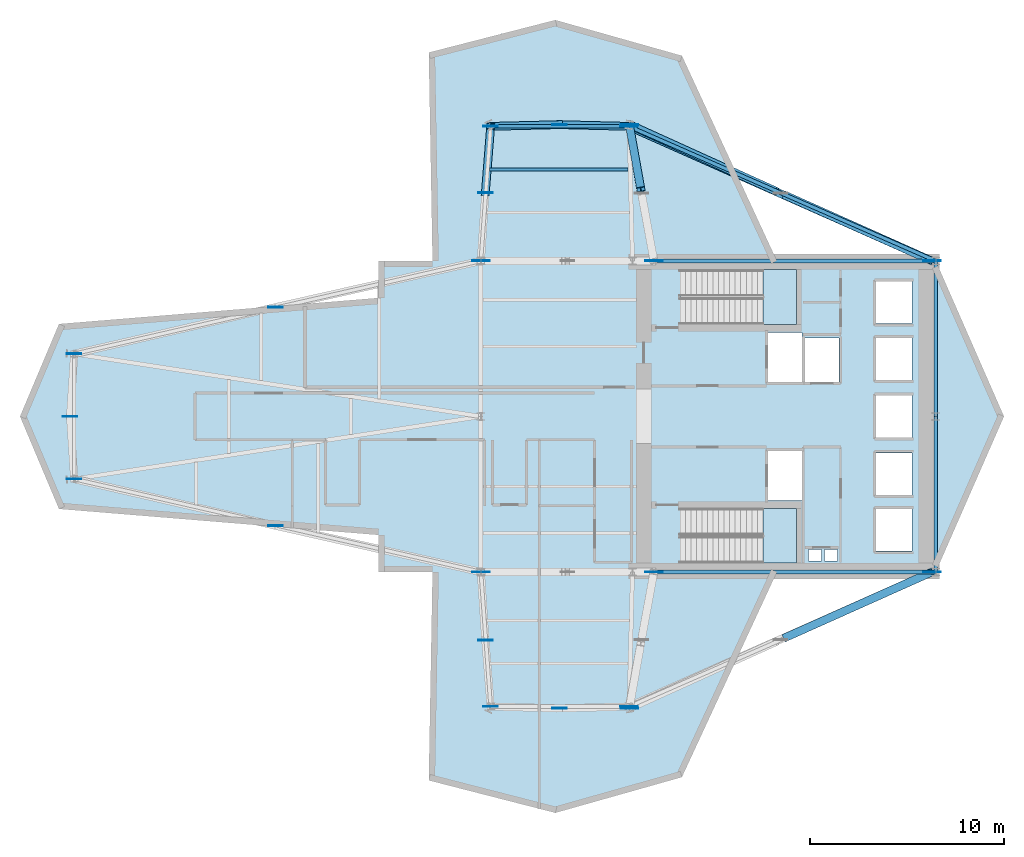
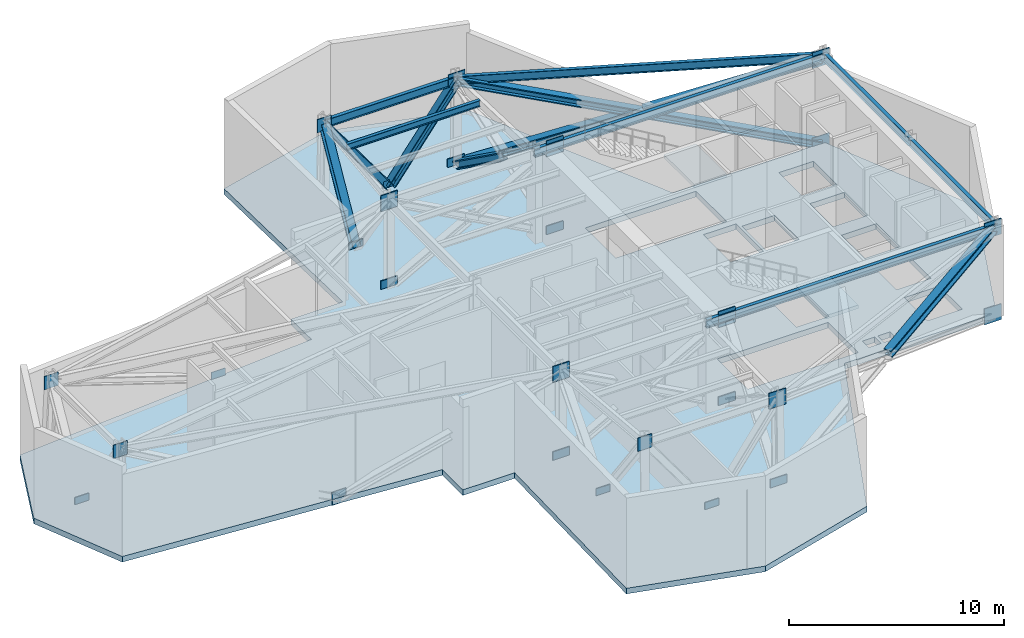
# One storey, part 2 of 6: 27 plates, 8 members, 7 beams, 3 slabs, 2 elements without a shape of their own.
"""IFC4 building model written with IfcOpenShell, lengths in metres."""

from ifc_helpers import new_model, si_unit, direction, frame, origin, origin_2d, place, context, subcontext, project, spatial, polyline, rectangle, i_section, outline, extrude, material, layer, layer_set, material_profile, profile_set, type_object, element, aggregate, save


model = new_model("IFC4")

# Units and contexts
model_context = context("Model", 3, precision=1e-05, world=origin(), true_north=direction((0.0, 1.0)))
body_context = subcontext(model_context, "Body", "Model", "MODEL_VIEW")
ifc_project = project(units=[si_unit("LENGTHUNIT", "METRE"), si_unit("AREAUNIT", "SQUARE_METRE"), si_unit("VOLUMEUNIT", "CUBIC_METRE"), si_unit("PLANEANGLEUNIT", "RADIAN"), si_unit("MASSUNIT", "GRAM", prefix="KILO")], contexts=[model_context])

# Site, building, storey
site_placement = place(None, origin())
site = spatial("IfcSite", under=ifc_project, at=site_placement, CompositionType="ELEMENT")
building_placement = place(site_placement, origin())
building = spatial("IfcBuilding", under=site, at=building_placement, Name="Veymaron Broadcast Tower", CompositionType="ELEMENT")
storey_placement = place(building_placement, frame((0.0, 0.0, 106.64990234375)))
storey = spatial("IfcBuildingStorey", under=building, at=storey_placement, Name="L24", CompositionType="ELEMENT", Elevation=106.64990234375)

# Beams
ifc_material_1 = material(Name="Structural steel ASTM A992 Gr 50", Category="steel")
ifc_material_profile_1 = material_profile(ifc_material_1, i_section(OverallWidth=0.1708984375, OverallDepth=0.35498046875, WebThickness=0.007080078125, FlangeThickness=0.01171875, at=origin_2d()), Name="W360X51")
ifc_profile_set_1 = profile_set([ifc_material_profile_1], Name="Structural steel ASTM A992 Gr 50")
beam_type_1 = type_object("IfcBeamType", Name="BM-JS2", PredefinedType="JOIST", material=ifc_profile_set_1)
beam_1_placement = place(storey_placement, frame((31.642578125, 36.70556640625, 4.942626953125), z_axis=(1.0, 0.0, 0.0), x_axis=(0.0, 1.0, 0.0)))
element("IfcBeam", 1, at=beam_1_placement, inside=storey, type_object=beam_type_1, Name="L24 Arm-B secondary joist 2", PredefinedType="JOIST", context=body_context, shape_type="SweptSolid", body=[
    extrude(i_section(OverallWidth=0.1708984375, OverallDepth=0.35498046875, WebThickness=0.007080078125, FlangeThickness=0.01171875, at=origin_2d()), origin(), (0.0, 0.0, 1.0), 7.135009765625),
])
ifc_material_profile_2 = material_profile(ifc_material_1, i_section(OverallWidth=0.19091796875, OverallDepth=0.4599609375, WebThickness=0.010009765625, FlangeThickness=0.01611328125, at=origin_2d()), Name="W460X82")
ifc_profile_set_2 = profile_set([ifc_material_profile_2], Name="Structural steel ASTM A992 Gr 50")
beam_type_2 = type_object("IfcBeamType", Name="BM-SP1", PredefinedType="SPANDREL", material=ifc_profile_set_2)
for number, where, z_axis, x_axis, name in (
    (2, (39.0, 16.0, 4.89013671875), (1.0, 0.0, 0.0), (0.0, 1.0, 0.0), "L24 primary structural floor girder"),
    (3, (39.0, 32.0, 4.89013671875), (1.0, 0.0, 0.0), (0.0, 1.0, 0.0), "L24 primary structural floor girder"),
):
    element("IfcBeam", number, at=place(storey_placement, frame(where, z_axis=z_axis, x_axis=x_axis)), inside=storey, type_object=beam_type_2, Name=name, PredefinedType="SPANDREL", context=body_context, shape_type="SweptSolid", body=[
        extrude(i_section(OverallWidth=0.19091796875, OverallDepth=0.4599609375, WebThickness=0.010009765625, FlangeThickness=0.01611328125, at=origin_2d()), origin(), (0.0, 0.0, 1.0), 15.60009765625),
    ])
for number, where, z_axis, x_axis, name in (
    (4, (54.60009765625, 16.0, 4.89013671875), (0.0, 1.0, 0.0), (-1.0, 0.0, 0.0), "L24 primary structural floor girder"),
    (5, (54.60009765625, 24.0, 4.89013671875), (0.0, 1.0, 0.0), (-1.0, 0.0, 0.0), "L24 primary structural floor girder"),
):
    element("IfcBeam", number, at=place(storey_placement, frame(where, z_axis=z_axis, x_axis=x_axis)), inside=storey, type_object=beam_type_2, Name=name, PredefinedType="SPANDREL", context=body_context, shape_type="SweptSolid", body=[
        extrude(i_section(OverallWidth=0.19091796875, OverallDepth=0.4599609375, WebThickness=0.010009765625, FlangeThickness=0.01611328125, at=origin_2d()), origin(), (0.0, 0.0, 1.0), 8.0),
    ])
beam_2_placement = place(storey_placement, frame((54.60009765625, 32.0, 4.89013671875), z_axis=(-0.915812620629, 0.401605831502, 0.0), x_axis=(-0.401605831502, -0.915812620629, 0.0)))
element("IfcBeam", 6, at=beam_2_placement, inside=storey, type_object=beam_type_2, Name="L24 primary structural floor girder", PredefinedType="SPANDREL", context=body_context, shape_type="SweptSolid", body=[
    extrude(i_section(OverallWidth=0.19091796875, OverallDepth=0.4599609375, WebThickness=0.010009765625, FlangeThickness=0.01611328125, at=origin_2d()), origin(), (0.0, 0.0, 1.0), 17.230712890625),
])
beam_3_placement = place(storey_placement, frame((31.7041015625, 38.919921875, 4.89013671875), z_axis=(1.0, 0.0, 0.0), x_axis=(0.0, 1.0, 0.0)))
element("IfcBeam", 7, at=beam_3_placement, inside=storey, type_object=beam_type_2, Name="L24 primary structural floor girder", PredefinedType="SPANDREL", context=body_context, shape_type="SweptSolid", body=[
    extrude(i_section(OverallWidth=0.19091796875, OverallDepth=0.4599609375, WebThickness=0.010009765625, FlangeThickness=0.01611328125, at=origin_2d()), origin(), (0.0, 0.0, 1.0), 7.115966796875),
])

# Members
ifc_material_2 = material(Name="Structural steel ASTM A913 Gr 65", Category="steel")
ifc_material_profile_3 = material_profile(ifc_material_2, i_section(OverallWidth=0.40087890625, OverallDepth=0.39892578125, WebThickness=0.02490234375, FlangeThickness=0.03955078125, at=origin_2d()), Name="W360X314")
ifc_profile_set_3 = profile_set([ifc_material_profile_3], Name="Structural steel ASTM A913 Gr 65")
member_type_1 = type_object("IfcMemberType", Name="MEM-BT1", PredefinedType="BRACE", material=ifc_profile_set_3)
member_1_placement = place(storey_placement, frame((35.24853515625, 39.010009765625, 0.02001953125), z_axis=(-0.589964517218, -0.014994965343, 0.80728992279), x_axis=(0.025408518315, -0.999677151483, 0.0)))
element("IfcMember", 8, at=member_1_placement, inside=storey, type_object=member_type_1, Name="L24 Belt Truss perimeter diagonal L", PredefinedType="BRACE", context=body_context, shape_type="SweptSolid", body=[
    extrude(i_section(OverallWidth=0.40087890625, OverallDepth=0.39892578125, WebThickness=0.02490234375, FlangeThickness=0.03955078125, at=origin_2d()), origin(), (0.0, 0.0, 1.0), 6.0078125),
])
member_2_placement = place(storey_placement, frame((35.24853515625, 39.010009765625, 0.02001953125), z_axis=(0.592893502545, -0.014955068866, 0.805142000243), x_axis=(0.025215849958, 0.999682029903, 0.0)))
element("IfcMember", 9, at=member_2_placement, inside=storey, type_object=member_type_1, Name="L24 Belt Truss perimeter diagonal R", PredefinedType="BRACE", context=body_context, shape_type="SweptSolid", body=[
    extrude(i_section(OverallWidth=0.40087890625, OverallDepth=0.39892578125, WebThickness=0.02490234375, FlangeThickness=0.03955078125, at=origin_2d()), origin(), (0.0, 0.0, 1.0), 6.02392578125),
])
member_3_placement = place(storey_placement, frame((31.430908203125, 35.5048828125, 0.02001953125), z_axis=(0.046007162785, 0.57511009208, 0.816781318935), x_axis=(-0.996815505121, 0.079742389922, 0.0)))
element("IfcMember", 10, at=member_3_placement, inside=storey, type_object=member_type_1, Name="L24 Belt Truss perimeter diagonal R", PredefinedType="BRACE", context=body_context, shape_type="SweptSolid", body=[
    extrude(i_section(OverallWidth=0.40087890625, OverallDepth=0.39892578125, WebThickness=0.02490234375, FlangeThickness=0.03955078125, at=origin_2d()), origin(), (0.0, 0.0, 1.0), 5.93798828125),
])
ifc_material_profile_4 = material_profile(ifc_material_2, i_section(OverallWidth=0.412109375, OverallDepth=0.43505859375, WebThickness=0.035888671875, FlangeThickness=0.05810546875, at=origin_2d()), Name="W360X463")
ifc_profile_set_4 = profile_set([ifc_material_profile_4], Name="Structural steel ASTM A913 Gr 65")
member_type_2 = type_object("IfcMemberType", Name="MEM-OT1", PredefinedType="BRACE", material=ifc_profile_set_4)
member_4_placement = place(storey_placement, frame((39.4287109375, 35.677734375, 2.31005859375), z_axis=(-0.14528941685, 0.815401007643, -0.560367898871), x_axis=(-0.984493928459, -0.175418655873, 0.0)))
element("IfcMember", 11, at=member_4_placement, inside=storey, type_object=member_type_2, Name="L24 Outrigger split diagonal lower segment OT-B2B2", PredefinedType="BRACE", context=body_context, shape_type="SweptSolid", body=[
    extrude(i_section(OverallWidth=0.412109375, OverallDepth=0.43505859375, WebThickness=0.035888671875, FlangeThickness=0.05810546875, at=origin_2d()), origin(), (0.0, 0.0, 1.0), 4.086669921875),
])
member_5_placement = place(storey_placement, frame((54.39990234375, 32.0, 0.02001953125), z_axis=(-0.879024967391, 0.390426759786, 0.273645851323), x_axis=(-0.405920535801, -0.913908375394, 0.0)))
element("IfcMember", 12, at=member_5_placement, inside=storey, type_object=member_type_2, Name="L24 Outrigger continuous diagonal brace OT-BEA", PredefinedType="BRACE", context=body_context, shape_type="SweptSolid", body=[
    extrude(i_section(OverallWidth=0.412109375, OverallDepth=0.43505859375, WebThickness=0.035888671875, FlangeThickness=0.05810546875, at=origin_2d()), origin(), (0.0, 0.0, 1.0), 17.723876953125),
])
member_6_placement = place(storey_placement, frame((54.39990234375, 32.0, 4.8701171875), z_axis=(-0.878083511864, 0.392661515006, -0.273470804339), x_axis=(-0.408222845798, -0.91288230795, 0.0)))
element("IfcMember", 13, at=member_6_placement, inside=storey, type_object=member_type_2, Name="L24 Outrigger split diagonal upper segment OT-BEB1", PredefinedType="BRACE", context=body_context, shape_type="SweptSolid", body=[
    extrude(i_section(OverallWidth=0.412109375, OverallDepth=0.43505859375, WebThickness=0.035888671875, FlangeThickness=0.05810546875, at=origin_2d()), origin(), (0.0, 0.0, 1.0), 8.62744140625),
])
member_7_placement = place(storey_placement, frame((46.4033203125, 35.577392578125, 2.37939453125), z_axis=(-0.876085035794, 0.397346954944, -0.273112444707), x_axis=(-0.413050251259, -0.91070823535, 0.0)))
element("IfcMember", 14, at=member_7_placement, inside=storey, type_object=member_type_2, Name="L24 Outrigger split diagonal lower segment OT-BEB2", PredefinedType="BRACE", context=body_context, shape_type="SweptSolid", body=[
    extrude(i_section(OverallWidth=0.412109375, OverallDepth=0.43505859375, WebThickness=0.035888671875, FlangeThickness=0.05810546875, at=origin_2d()), origin(), (0.0, 0.0, 1.0), 8.638916015625),
])
member_8_placement = place(storey_placement, frame((54.39990234375, 16.0, 4.8701171875), z_axis=(-0.878083511864, -0.392661515006, -0.273470804339), x_axis=(0.408222845798, -0.91288230795, 0.0)))
element("IfcMember", 15, at=member_8_placement, inside=storey, type_object=member_type_2, Name="L24 Outrigger split diagonal upper segment OT-CEB1", PredefinedType="BRACE", context=body_context, shape_type="SweptSolid", body=[
    extrude(i_section(OverallWidth=0.412109375, OverallDepth=0.43505859375, WebThickness=0.035888671875, FlangeThickness=0.05810546875, at=origin_2d()), origin(), (0.0, 0.0, 1.0), 8.62744140625),
])

# Plates
ifc_layer_1 = layer(ifc_material_2, 0.0400390625)
ifc_layer_set_1 = layer_set([ifc_layer_1], Name="Structural steel ASTM A913 Gr 65")
plate_type_1 = type_object("IfcPlateType", Name="PLT-NODE-BN1", PredefinedType="SHEET", material=ifc_layer_set_1)
for number, where, z_axis, x_axis, name in (
    (16, (10.076904296875, 24.0, -0.35498046875), (0.0, 0.0, 1.0), (1.0, 0.0, 0.0), "L24 Belt Truss apex gusset node plate BN1"),
    (17, (10.283935546875, 20.780029296875, 4.4951171875), (0.0, 0.0, 1.0), (1.0, 0.0, 0.0), "L24 Belt Truss column gusset node plate BN1"),
    (18, (10.283935546875, 27.219970703125, 4.4951171875), (0.0, 0.0, 1.0), (1.0, 0.0, 0.0), "L24 Belt Truss column gusset node plate BN1"),
    (19, (35.24853515625, 39.010009765625, -0.35498046875), (0.0, 0.0, 1.0), (1.0, 0.0, 0.0), "L24 Belt Truss apex gusset node plate BN1"),
    (20, (31.7041015625, 38.919921875, 4.4951171875), (0.0, 0.0, 1.0), (1.0, 0.0, 0.0), "L24 Belt Truss column gusset node plate BN1"),
    (21, (35.24853515625, 8.989990234375, -0.35498046875), (0.0, 0.0, 1.0), (1.0, 0.0, 0.0), "L24 Belt Truss apex gusset node plate BN1"),
    (22, (31.7041015625, 9.080078125, 4.4951171875), (0.0, 0.0, 1.0), (1.0, 0.0, 0.0), "L24 Belt Truss column gusset node plate BN1"),
    (23, (20.638427734375, 29.617431640625, -0.35498046875), (0.0, 0.0, 1.0), (1.0, 0.0, 0.0), "L24 Belt Truss apex gusset node plate BN1"),
    (24, (20.638427734375, 18.382568359375, -0.35498046875), (0.0, 0.0, 1.0), (1.0, 0.0, 0.0), "L24 Belt Truss apex gusset node plate BN1"),
    (25, (31.430908203125, 35.5048828125, -0.35498046875), (0.0, 0.0, 1.0), (1.0, 0.0, 0.0), "L24 Belt Truss apex gusset node plate BN1"),
    (26, (31.430908203125, 12.4951171875, -0.35498046875), (0.0, 0.0, 1.0), (1.0, 0.0, 0.0), "L24 Belt Truss apex gusset node plate BN1"),
):
    element("IfcPlate", number, at=place(storey_placement, frame(where, z_axis=z_axis, x_axis=x_axis)), inside=storey, type_object=plate_type_1, Name=name, PredefinedType="SHEET", context=body_context, shape_type="SweptSolid", body=[
        extrude(rectangle(XDim=0.75, YDim=0.0400390625, at=origin_2d()), origin(), (0.0, 0.0, 1.0), 0.75),
    ])
ifc_layer_2 = layer(ifc_material_2, 0.044921875)
ifc_layer_set_2 = layer_set([ifc_layer_2], Name="Structural steel ASTM A913 Gr 65")
plate_type_2 = type_object("IfcPlateType", Name="PLT-NODE-ON1", PredefinedType="SHEET", material=ifc_layer_set_2)
for number, where, z_axis, x_axis, name in (
    (27, (40.10009765625, 32.0, -0.429931640625), (0.0, 0.0, 1.0), (1.0, 0.0, 0.0), "L24 Outrigger end gusset node plate ON1"),
    (28, (31.199951171875, 32.0, 4.420166015625), (0.0, 0.0, 1.0), (1.0, 0.0, 0.0), "L24 Outrigger end gusset node plate ON1"),
    (29, (40.10009765625, 32.0, 4.420166015625), (0.0, 0.0, 1.0), (1.0, 0.0, 0.0), "L24 Outrigger end gusset node plate ON1"),
    (30, (31.199951171875, 32.0, -0.429931640625), (0.0, 0.0, 1.0), (1.0, 0.0, 0.0), "L24 Outrigger end gusset node plate ON1"),
    (31, (40.10009765625, 16.0, -0.429931640625), (0.0, 0.0, 1.0), (1.0, 0.0, 0.0), "L24 Outrigger end gusset node plate ON1"),
    (32, (31.199951171875, 16.0, 4.420166015625), (0.0, 0.0, 1.0), (1.0, 0.0, 0.0), "L24 Outrigger end gusset node plate ON1"),
    (33, (40.10009765625, 16.0, 4.420166015625), (0.0, 0.0, 1.0), (1.0, 0.0, 0.0), "L24 Outrigger end gusset node plate ON1"),
    (34, (31.199951171875, 16.0, -0.429931640625), (0.0, 0.0, 1.0), (1.0, 0.0, 0.0), "L24 Outrigger end gusset node plate ON1"),
    (35, (38.820068359375, 38.919921875, 4.420166015625), (0.0, 0.0, 1.0), (1.0, 0.0, 0.0), "L24 Outrigger end gusset node plate ON1"),
    (36, (38.8349609375, 39.010009765625, -0.429931640625), (0.0, 0.0, 1.0), (1.0, 0.0, 0.0), "L24 Outrigger end gusset node plate ON1"),
    (37, (38.820068359375, 9.080078125, 4.420166015625), (0.0, 0.0, 1.0), (1.0, 0.0, 0.0), "L24 Outrigger end gusset node plate ON1"),
    (38, (38.8349609375, 8.989990234375, -0.429931640625), (0.0, 0.0, 1.0), (1.0, 0.0, 0.0), "L24 Outrigger end gusset node plate ON1"),
    (39, (54.39990234375, 32.0, -0.429931640625), (0.0, 0.0, 1.0), (1.0, 0.0, 0.0), "L24 Outrigger end gusset node plate ON1"),
    (40, (54.39990234375, 32.0, 4.420166015625), (0.0, 0.0, 1.0), (1.0, 0.0, 0.0), "L24 Outrigger end gusset node plate ON1"),
    (41, (54.39990234375, 16.0, -0.429931640625), (0.0, 0.0, 1.0), (1.0, 0.0, 0.0), "L24 Outrigger end gusset node plate ON1"),
    (42, (54.39990234375, 16.0, 4.420166015625), (0.0, 0.0, 1.0), (1.0, 0.0, 0.0), "L24 Outrigger end gusset node plate ON1"),
):
    element("IfcPlate", number, at=place(storey_placement, frame(where, z_axis=z_axis, x_axis=x_axis)), inside=storey, type_object=plate_type_2, Name=name, PredefinedType="SHEET", context=body_context, shape_type="SweptSolid", body=[
        extrude(rectangle(XDim=0.89990234375, YDim=0.044921875, at=origin_2d()), origin(), (0.0, 0.0, 1.0), 0.89990234375),
    ])

# Slab
ifc_material_3 = material(Name="Concrete C40/50", Category="concrete")
ifc_layer_3 = layer(ifc_material_3, 0.320068359375)
ifc_layer_set_3 = layer_set([ifc_layer_3], Name="Concrete C40/50")
slab_type_1 = type_object("IfcSlabType", Name="SLAB-FS2", PredefinedType="FLOOR", material=ifc_layer_set_3)
slab_1_placement = place(storey_placement, frame((0.0, 0.0, -0.31982421875)))
element("IfcSlab", 43, at=slab_1_placement, inside=storey, type_object=slab_type_1, Name="L24 structural floor slab", PredefinedType="FLOOR", context=body_context, shape_type="SweptSolid", body=[
    extrude(outline(polyline([(46.429443359375, 16.0), (54.60009765625, 16.0), (58.10693359375, 24.0), (54.60009765625, 32.0), (46.429443359375, 32.0), (41.541259765625, 42.553955078125), (35.031005859375, 44.39111328125), (28.520751953125, 42.720947265625), (28.713623046875, 32.0), (25.927978515625, 32.0), (25.927978515625, 30.096923828125), (9.5, 28.757568359375), (7.49609375, 24.0), (9.5, 19.242431640625), (25.927978515625, 17.903076171875), (25.927978515625, 16.0), (28.713623046875, 16.0), (28.520751953125, 5.279052734375), (35.031005859375, 3.60888671875), (41.541259765625, 5.446044921875), (46.429443359375, 16.0)]), holes=[polyline([(45.969970703125, 28.330078125), (47.72998046875, 28.330078125), (47.72998046875, 25.77001953125), (45.969970703125, 25.77001953125), (45.969970703125, 28.330078125)]), polyline([(45.969970703125, 22.22998046875), (47.72998046875, 22.22998046875), (47.72998046875, 19.669921875), (45.969970703125, 19.669921875), (45.969970703125, 22.22998046875)]), polyline([(47.8701171875, 28.030029296875), (49.6298828125, 28.030029296875), (49.6298828125, 25.77001953125), (47.8701171875, 25.77001953125), (47.8701171875, 28.030029296875)]), polyline([(51.52001953125, 30.929931640625), (53.3798828125, 30.929931640625), (53.3798828125, 28.77001953125), (51.52001953125, 28.77001953125), (51.52001953125, 30.929931640625)]), polyline([(51.52001953125, 28.030029296875), (53.3798828125, 28.030029296875), (53.3798828125, 25.8701171875), (51.52001953125, 25.8701171875), (51.52001953125, 28.030029296875)]), polyline([(51.52001953125, 22.1298828125), (53.3798828125, 22.1298828125), (53.3798828125, 19.969970703125), (51.52001953125, 19.969970703125), (51.52001953125, 22.1298828125)]), polyline([(51.52001953125, 25.080078125), (53.3798828125, 25.080078125), (53.3798828125, 22.919921875), (51.52001953125, 22.919921875), (51.52001953125, 25.080078125)]), polyline([(51.52001953125, 19.22998046875), (53.3798828125, 19.22998046875), (53.3798828125, 17.070068359375), (51.52001953125, 17.070068359375), (51.52001953125, 19.22998046875)]), polyline([(48.050048828125, 17.159912109375), (48.719970703125, 17.159912109375), (48.719970703125, 16.56005859375), (48.050048828125, 16.56005859375), (48.050048828125, 17.159912109375)]), polyline([(48.8798828125, 17.159912109375), (49.550048828125, 17.159912109375), (49.550048828125, 16.56005859375), (48.8798828125, 16.56005859375), (48.8798828125, 17.159912109375)]), polyline([(41.489990234375, 31.550048828125), (47.43994140625, 31.550048828125), (47.43994140625, 28.72998046875), (41.489990234375, 28.72998046875), (41.489990234375, 31.550048828125)]), polyline([(41.489990234375, 19.27001953125), (47.43994140625, 19.27001953125), (47.43994140625, 16.449951171875), (41.489990234375, 16.449951171875), (41.489990234375, 19.27001953125)])]), origin(), (0.0, 0.0, 1.0), 0.31982421875),
])

# Stair, slab
ifc_material_4 = material(Name="Concrete C50/60", Category="concrete")
stair_type_1 = type_object("IfcStairType", Name="STAIR-CORE-1", PredefinedType="HALF_TURN_STAIR", material=ifc_material_4)
stair_1_placement = place(storey_placement, origin())
stair_1 = element("IfcStair", 44, at=stair_1_placement, inside=storey, type_object=stair_type_1, Name="L24 North protected dog-leg exit stair ST1", PredefinedType="HALF_TURN_STAIR")
ifc_layer_4 = layer(ifc_material_4, 0.199951171875)
ifc_layer_set_4 = layer_set([ifc_layer_4], Name="Concrete C50/60")
slab_type_2 = type_object("IfcSlabType", Name="SLAB-STAIR-LDG", PredefinedType="LANDING", material=ifc_layer_set_4)
slab_2_placement = place(storey_placement, frame((0.0, 0.0, 2.5)))
slab_2 = element("IfcSlab", 45, at=slab_2_placement, type_object=slab_type_2, Name="ST1 landing 1", PredefinedType="LANDING", context=body_context, shape_type="SweptSolid", body=[
    extrude(outline(polyline([(45.705078125, 28.72998046875), (47.43994140625, 28.72998046875), (47.43994140625, 31.550048828125), (45.705078125, 31.550048828125), (45.705078125, 28.72998046875)])), origin(), (0.0, 0.0, 1.0), 0.2001953125),
])
aggregate(stair_1, [slab_2])

stair_type_2 = type_object("IfcStairType", Name="STAIR-CORE-2", PredefinedType="HALF_TURN_STAIR", material=ifc_material_4)
stair_2_placement = place(storey_placement, origin())
stair_2 = element("IfcStair", 46, at=stair_2_placement, inside=storey, type_object=stair_type_2, Name="L24 South protected dog-leg exit stair ST2", PredefinedType="HALF_TURN_STAIR")
slab_3_placement = place(storey_placement, frame((0.0, 0.0, 2.5)))
slab_3 = element("IfcSlab", 47, at=slab_3_placement, type_object=slab_type_2, Name="ST2 landing 1", PredefinedType="LANDING", context=body_context, shape_type="SweptSolid", body=[
    extrude(outline(polyline([(45.705078125, 16.449951171875), (47.43994140625, 16.449951171875), (47.43994140625, 19.27001953125), (45.705078125, 19.27001953125), (45.705078125, 16.449951171875)])), origin(), (0.0, 0.0, 1.0), 0.2001953125),
])
aggregate(stair_2, [slab_3])

save(model, "model.ifc")
